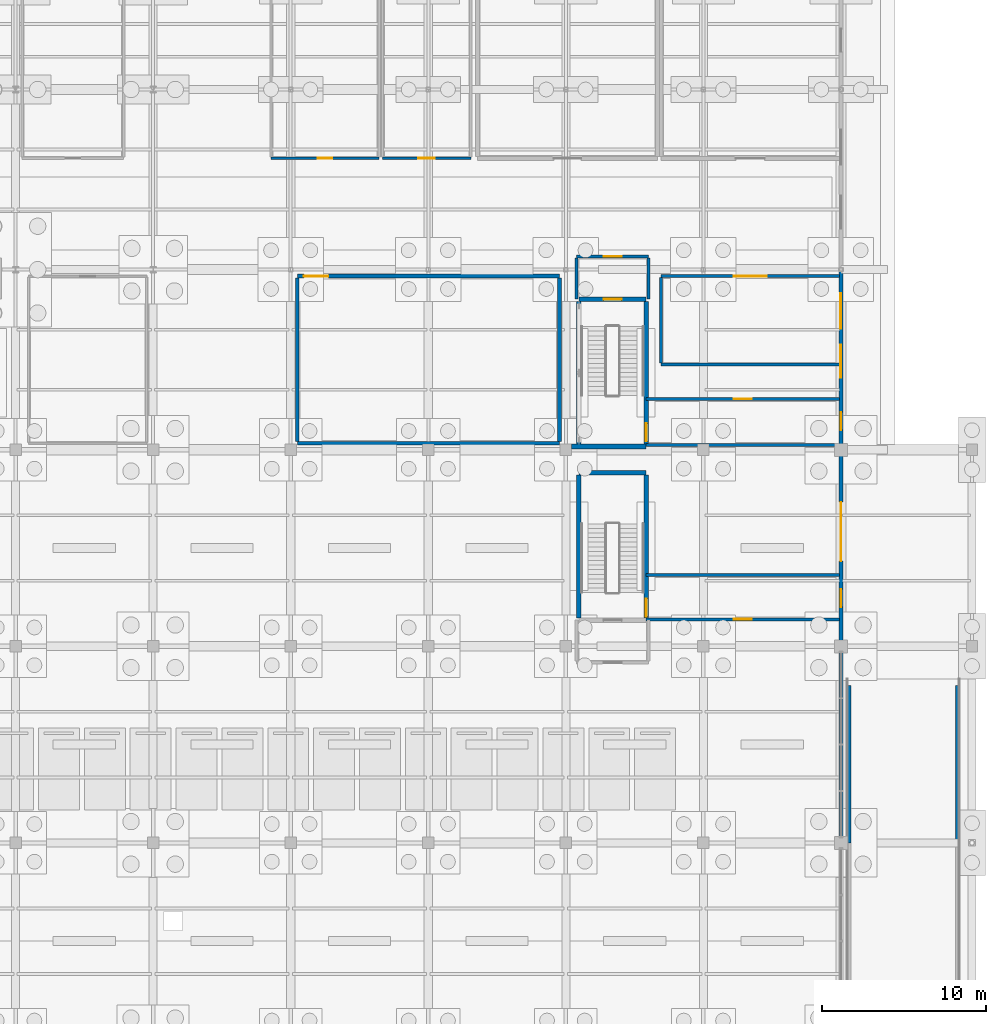
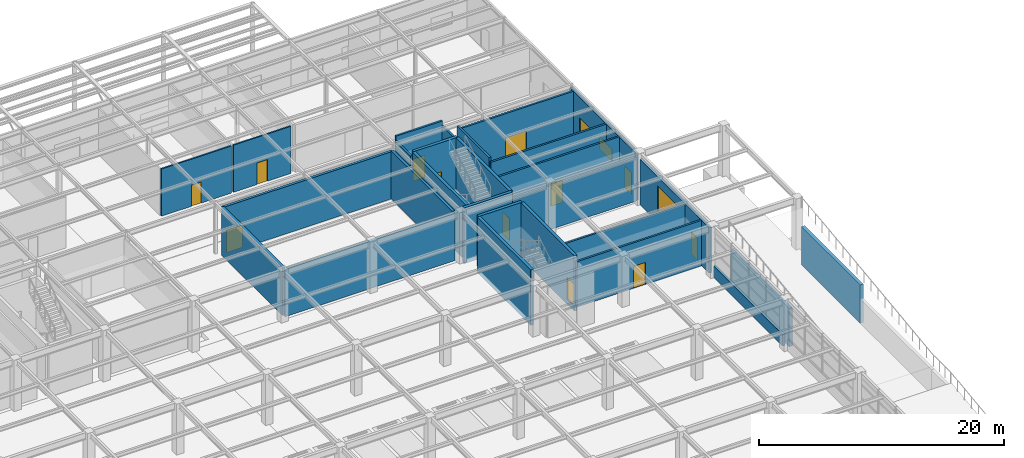
# One storey, part 109 of 129: 28 walls, 13 doors, 2 windows, 15 openings.
"""IFC4 building model written with IfcOpenShell, lengths in metres."""

from ifc_helpers import new_model, si_unit, direction, frame, frame_2d, origin, place, context, subcontext, project, spatial, rectangle, extrude, material, layer, layer_set, type_object, element, fill, save


model = new_model("IFC4")

# Units and contexts
model_context = context("Model", 3, precision=1e-05, world=origin(), true_north=direction((0.0, 1.0)))
body_context = subcontext(model_context, "Body", "Model", "MODEL_VIEW")
ifc_project = project(units=[si_unit("LENGTHUNIT", "METRE"), si_unit("AREAUNIT", "SQUARE_METRE"), si_unit("VOLUMEUNIT", "CUBIC_METRE"), si_unit("PLANEANGLEUNIT", "RADIAN"), si_unit("MASSUNIT", "GRAM", prefix="KILO")], contexts=[model_context])

# Site, building, storey
site_placement = place(None, origin())
site = spatial("IfcSite", under=ifc_project, at=site_placement, CompositionType="ELEMENT")
building_placement = place(site_placement, origin())
building = spatial("IfcBuilding", under=site, at=building_placement, Name="Sitalva Quay Ferry Terminal", CompositionType="ELEMENT")
storey_placement = place(building_placement, origin())
storey = spatial("IfcBuildingStorey", under=building, at=storey_placement, Name="L01", CompositionType="ELEMENT", Elevation=0.0)

# Walls
ifc_material_1 = material(Name="Concrete C40/50", Category="concrete")
ifc_layer_1 = layer(ifc_material_1, 0.280029296875)
ifc_layer_set_1 = layer_set([ifc_layer_1], Name="Concrete C40/50")
wall_type_1 = type_object("IfcWallType", Name="Wall_CoreShear_280", PredefinedType="SHEAR", material=ifc_layer_set_1)
wall_1_placement = place(storey_placement, frame((152.0, 76.60009765625, -0.449951171875), z_axis=(0.0, 0.0, 1.0), x_axis=(1.0, 0.0, 0.0)))
element("IfcWall", 1, at=wall_1_placement, inside=storey, type_object=wall_type_1, Name="Core C9 L01 north shear wall", PredefinedType="SHEAR", context=body_context, shape_type="SweptSolid", body=[
    extrude(rectangle(XDim=4.10009765625, YDim=0.280029296875, at=frame_2d((2.050048828125, 0.0))), origin(), (0.0, 0.0, 1.0), 5.530029296875),
])
wall_2_placement = place(storey_placement, frame((152.0, 67.739990234375, -0.449951171875), z_axis=(0.0, 0.0, 1.0), x_axis=(0.0, 1.0, 0.0)))
element("IfcWall", 2, at=wall_2_placement, inside=storey, type_object=wall_type_1, Name="Core C9 L01 west shear wall", PredefinedType="SHEAR", context=body_context, shape_type="SweptSolid", body=[
    extrude(rectangle(XDim=8.719970703125, YDim=0.280029296875, at=frame_2d((4.35986328125, 0.0))), origin(), (0.0, 0.0, 1.0), 5.530029296875),
])

# Wall, opening, door
wall_3_placement = place(storey_placement, frame((156.10009765625, 76.4599609375, -0.449951171875), z_axis=(0.0, 0.0, 1.0), x_axis=(0.0, -1.0, 0.0)))
wall_3 = element("IfcWall", 3, at=wall_3_placement, inside=storey, type_object=wall_type_1, Name="Core C9 L01 east shear wall", PredefinedType="SHEAR", context=body_context, shape_type="SweptSolid", body=[
    extrude(rectangle(XDim=8.719970703125, YDim=0.280029296875, at=frame_2d((4.35986328125, 0.0))), origin(), (0.0, 0.0, 1.0), 5.530029296875),
])
opening_1_placement = place(wall_3_placement, frame((7.550048828125, 0.0, 0.449951171875)))
opening_1 = element("IfcOpeningElement", 4, at=opening_1_placement, cuts=wall_3, Name="Opening D-L01-033", PredefinedType="OPENING", context=body_context, shape_type="SweptSolid", body=[
    extrude(rectangle(XDim=1.10009765625, YDim=2.199951171875, at=frame_2d((0.550048828125, 1.10009765625))), frame((0.0, 0.14990234375, 0.0), z_axis=(0.0, -1.0, 0.0), x_axis=(1.0, 0.0, 0.0)), (0.0, 0.0, 1.0), 0.300048828125),
])
ifc_material_2 = material(Name="Galvanised Steel Fire Door", Category="steel")
door_type_1 = type_object("IfcDoorType", Name="Door_CoreExit_1100x2200", OperationType="SINGLE_SWING_LEFT", PredefinedType="DOOR", material=ifc_material_2)
door_1_placement = place(opening_1_placement, origin())
door_1 = element("IfcDoor", 5, at=door_1_placement, inside=storey, type_object=door_type_1, Name="DOOR-D-L01-033 Protected stair ST-09 exit discharge door D-L01-033", OperationType="SINGLE_SWING_LEFT", OverallHeight=2.199951171875, OverallWidth=1.10009765625, PredefinedType="DOOR", context=body_context, shape_type="SweptSolid", body=[
    extrude(rectangle(XDim=1.10009765625, YDim=2.199951171875, at=frame_2d((0.550048828125, 1.10009765625))), frame((0.0, 0.02490234375, 0.0), z_axis=(0.0, -1.0, 0.0), x_axis=(1.0, 0.0, 0.0)), (0.0, 0.0, 1.0), 0.050048828125),
])
fill(opening_1, door_1)

# Wall
wall_4_placement = place(storey_placement, frame((151.550048828125, 78.199951171875, -0.449951171875), z_axis=(0.0, 0.0, 1.0), x_axis=(1.0, 0.0, 0.0)))
element("IfcWall", 6, at=wall_4_placement, inside=storey, type_object=wall_type_1, Name="Core C10 L01 south shear wall", PredefinedType="SHEAR", context=body_context, shape_type="SweptSolid", body=[
    extrude(rectangle(XDim=4.550048828125, YDim=0.280029296875, at=frame_2d((2.27490234375, 0.0))), origin(), (0.0, 0.0, 1.0), 5.570068359375),
])

# Wall, opening, door
wall_5_placement = place(storey_placement, frame((152.0, 87.199951171875, -0.449951171875), z_axis=(0.0, 0.0, 1.0), x_axis=(1.0, 0.0, 0.0)))
wall_5 = element("IfcWall", 7, at=wall_5_placement, inside=storey, type_object=wall_type_1, Name="Core C10 L01 north shear wall", PredefinedType="SHEAR", context=body_context, shape_type="SweptSolid", body=[
    extrude(rectangle(XDim=4.10009765625, YDim=0.280029296875, at=frame_2d((2.050048828125, 0.0))), origin(), (0.0, 0.0, 1.0), 5.570068359375),
])
opening_2_placement = place(wall_5_placement, frame((1.5, 0.0, 0.449951171875)))
opening_2 = element("IfcOpeningElement", 8, at=opening_2_placement, cuts=wall_5, Name="Opening D-L01-036", PredefinedType="OPENING", context=body_context, shape_type="SweptSolid", body=[
    extrude(rectangle(XDim=1.10009765625, YDim=2.199951171875, at=frame_2d((0.550048828125, 1.10009765625))), frame((0.0, 0.14990234375, 0.0), z_axis=(0.0, -1.0, 0.0), x_axis=(1.0, 0.0, 0.0)), (0.0, 0.0, 1.0), 0.300048828125),
])
door_2_placement = place(opening_2_placement, origin())
door_2 = element("IfcDoor", 9, at=door_2_placement, inside=storey, type_object=door_type_1, Name="DOOR-D-L01-036 Protected stair ST-10 door D-L01-036", OperationType="SINGLE_SWING_RIGHT", OverallHeight=2.199951171875, OverallWidth=1.10009765625, PredefinedType="DOOR", context=body_context, shape_type="SweptSolid", body=[
    extrude(rectangle(XDim=1.10009765625, YDim=2.199951171875, at=frame_2d((0.550048828125, 1.10009765625))), frame((0.0, 0.02490234375, 0.0), z_axis=(0.0, -1.0, 0.0), x_axis=(1.0, 0.0, 0.0)), (0.0, 0.0, 1.0), 0.050048828125),
])
fill(opening_2, door_2)

# Wall
wall_6_placement = place(storey_placement, frame((152.0, 78.340087890625, -0.449951171875), z_axis=(0.0, 0.0, 1.0), x_axis=(0.0, 1.0, 0.0)))
element("IfcWall", 10, at=wall_6_placement, inside=storey, type_object=wall_type_1, Name="Core C10 L01 west shear wall", PredefinedType="SHEAR", context=body_context, shape_type="SweptSolid", body=[
    extrude(rectangle(XDim=8.719970703125, YDim=0.280029296875, at=frame_2d((4.35986328125, 0.0))), origin(), (0.0, 0.0, 1.0), 5.570068359375),
])

# Wall, opening, door
wall_7_placement = place(storey_placement, frame((156.10009765625, 87.06005859375, -0.449951171875), z_axis=(0.0, 0.0, 1.0), x_axis=(0.0, -1.0, 0.0)))
wall_7 = element("IfcWall", 11, at=wall_7_placement, inside=storey, type_object=wall_type_1, Name="Core C10 L01 east shear wall", PredefinedType="SHEAR", context=body_context, shape_type="SweptSolid", body=[
    extrude(rectangle(XDim=8.719970703125, YDim=0.280029296875, at=frame_2d((4.35986328125, 0.0))), origin(), (0.0, 0.0, 1.0), 5.570068359375),
])
opening_3_placement = place(wall_7_placement, frame((7.449951171875, 0.0, 0.449951171875)))
opening_3 = element("IfcOpeningElement", 12, at=opening_3_placement, cuts=wall_7, Name="Opening D-L01-037", PredefinedType="OPENING", context=body_context, shape_type="SweptSolid", body=[
    extrude(rectangle(XDim=1.10009765625, YDim=2.199951171875, at=frame_2d((0.550048828125, 1.10009765625))), frame((0.0, 0.14990234375, 0.0), z_axis=(0.0, -1.0, 0.0), x_axis=(1.0, 0.0, 0.0)), (0.0, 0.0, 1.0), 0.300048828125),
])
door_3_placement = place(opening_3_placement, origin())
door_3 = element("IfcDoor", 13, at=door_3_placement, inside=storey, type_object=door_type_1, Name="DOOR-D-L01-037 Protected stair ST-10 exit discharge door D-L01-037", OperationType="SINGLE_SWING_LEFT", OverallHeight=2.199951171875, OverallWidth=1.10009765625, PredefinedType="DOOR", context=body_context, shape_type="SweptSolid", body=[
    extrude(rectangle(XDim=1.10009765625, YDim=2.199951171875, at=frame_2d((0.550048828125, 1.10009765625))), frame((0.0, 0.02490234375, 0.0), z_axis=(0.0, -1.0, 0.0), x_axis=(1.0, 0.0, 0.0)), (0.0, 0.0, 1.0), 0.050048828125),
])
fill(opening_3, door_3)

# Walls
ifc_material_3 = material(Name="Concrete C40/50", Category="concrete")
ifc_layer_2 = layer(ifc_material_3, 0.300048828125)
ifc_layer_set_2 = layer_set([ifc_layer_2], Name="Concrete C40/50")
wall_type_2 = type_object("IfcWallType", Name="Wall_CoreShear_300", PredefinedType="SHEAR", material=ifc_layer_set_2)
for number, where, z_axis, x_axis, name in (
    (14, (168.449951171875, 54.0, 0.0), (0.0, 0.0, 1.0), (0.0, 1.0, 0.0), "Vehicle ramp VR-01 upper support pier W"),
    (15, (175.14990234375, 54.0, 0.0), (0.0, 0.0, 1.0), (0.0, 1.0, 0.0), "Vehicle ramp VR-01 upper support pier E"),
):
    element("IfcWall", number, at=place(storey_placement, frame(where, z_axis=z_axis, x_axis=x_axis)), inside=storey, type_object=wall_type_2, Name=name, PredefinedType="SHEAR", context=body_context, shape_type="SweptSolid", body=[
        extrude(rectangle(XDim=9.60009765625, YDim=0.300048828125, at=frame_2d((4.800048828125, 0.0))), origin(), (0.0, 0.0, 1.0), 3.820068359375),
    ])

# Wall, openings, door, windows
ifc_material_4 = material(Name="Insulated Precast Concrete C40/50", Category="concrete")
ifc_layer_3 = layer(ifc_material_4, 0.239990234375)
ifc_layer_set_3 = layer_set([ifc_layer_3], Name="Insulated Precast Concrete C40/50")
wall_type_3 = type_object("IfcWallType", Name="Wall_ExtClad_240", PredefinedType="ELEMENTEDWALL", material=ifc_layer_set_3)
wall_8_placement = place(storey_placement, frame((168.0, 89.1220703125, 0.0), z_axis=(0.0, 0.0, 1.0), x_axis=(0.0, -1.0, 0.0)))
wall_8 = element("IfcWall", 16, at=wall_8_placement, inside=storey, type_object=wall_type_3, Name="L01 far-east plant wing wall EW-L01-157", PredefinedType="ELEMENTEDWALL", context=body_context, shape_type="SweptSolid", body=[
    extrude(rectangle(XDim=10.822021484375, YDim=0.239990234375, at=frame_2d((5.4111328125, 0.0))), origin(), (0.0, 0.0, 1.0), 4.700927734375),
])
opening_4_placement = place(wall_8_placement, frame((1.572021484375, 0.0, 1.39990234375)))
opening_4 = element("IfcOpeningElement", 17, at=opening_4_placement, cuts=wall_8, Name="Opening WN-L01-029", PredefinedType="OPENING", context=body_context, shape_type="SweptSolid", body=[
    extrude(rectangle(XDim=2.14990234375, YDim=1.25, at=frame_2d((1.074951171875, 0.625))), frame((0.0, 0.1298828125, 0.0), z_axis=(0.0, -1.0, 0.0), x_axis=(1.0, 0.0, 0.0)), (0.0, 0.0, 1.0), 0.260009765625),
])
opening_5_placement = place(wall_8_placement, frame((4.721923828125, 0.0, 1.39990234375)))
opening_5 = element("IfcOpeningElement", 18, at=opening_5_placement, cuts=wall_8, Name="Opening WN-L01-030", PredefinedType="OPENING", context=body_context, shape_type="SweptSolid", body=[
    extrude(rectangle(XDim=2.0, YDim=1.199951171875, at=frame_2d((1.0, 0.60009765625))), frame((0.0, 0.1298828125, 0.0), z_axis=(0.0, -1.0, 0.0), x_axis=(1.0, 0.0, 0.0)), (0.0, 0.0, 1.0), 0.260009765625),
])
opening_6_placement = place(wall_8_placement, frame((8.822021484375, 0.0, 0.0)))
opening_6 = element("IfcOpeningElement", 19, at=opening_6_placement, cuts=wall_8, Name="Opening ED-L01-036", PredefinedType="OPENING", context=body_context, shape_type="SweptSolid", body=[
    extrude(rectangle(XDim=1.10009765625, YDim=2.199951171875, at=frame_2d((0.550048828125, 1.10009765625))), frame((0.0, 0.1298828125, 0.0), z_axis=(0.0, -1.0, 0.0), x_axis=(1.0, 0.0, 0.0)), (0.0, 0.0, 1.0), 0.260009765625),
])
door_4_placement = place(opening_6_placement, origin())
door_4 = element("IfcDoor", 20, at=door_4_placement, inside=storey, type_object=door_type_1, Name="EDOOR-ED-L01-036 Exit stair ST-10 east walkway exit door ED-L01-036", OperationType="SINGLE_SWING_LEFT", OverallHeight=2.199951171875, OverallWidth=1.10009765625, PredefinedType="DOOR", context=body_context, shape_type="SweptSolid", body=[
    extrude(rectangle(XDim=1.10009765625, YDim=2.199951171875, at=frame_2d((0.550048828125, 1.10009765625))), frame((0.0, 0.02490234375, 0.0), z_axis=(0.0, -1.0, 0.0), x_axis=(1.0, 0.0, 0.0)), (0.0, 0.0, 1.0), 0.050048828125),
])
fill(opening_6, door_4)
ifc_material_5 = material(Name="Marine Aluminium Acoustic Louvre", Category="aluminium")
window_type_1 = type_object("IfcWindowType", Name="Win_LouvreB_2150x1250", PartitioningType="SINGLE_PANEL", PredefinedType="WINDOW", material=ifc_material_5)
window_1_placement = place(opening_4_placement, origin())
window_1 = element("IfcWindow", 21, at=window_1_placement, inside=storey, type_object=window_type_1, Name="East dock store louvre B WN-L01-029", OverallHeight=1.25, OverallWidth=2.14990234375, PartitioningType="SINGLE_PANEL", PredefinedType="WINDOW", context=body_context, shape_type="SweptSolid", body=[
    extrude(rectangle(XDim=2.14990234375, YDim=1.25, at=frame_2d((1.074951171875, 0.625))), frame((0.0, 0.030029296875, 0.0), z_axis=(0.0, -1.0, 0.0), x_axis=(1.0, 0.0, 0.0)), (0.0, 0.0, 1.0), 0.06005859375),
])
fill(opening_4, window_1)
ifc_material_6 = material(Name="Marine Aluminium Acoustic Louvre", Category="aluminium")
window_type_2 = type_object("IfcWindowType", Name="Win_LouvredVent_2000x1200", PartitioningType="SINGLE_PANEL", PredefinedType="WINDOW", material=ifc_material_6)
window_2_placement = place(opening_5_placement, origin())
window_2 = element("IfcWindow", 22, at=window_2_placement, inside=storey, type_object=window_type_2, Name="East dock store louvre WN-L01-030", OverallHeight=1.199951171875, OverallWidth=2.0, PartitioningType="SINGLE_PANEL", PredefinedType="WINDOW", context=body_context, shape_type="SweptSolid", body=[
    extrude(rectangle(XDim=2.0, YDim=1.199951171875, at=frame_2d((1.0, 0.60009765625))), frame((0.0, 0.030029296875, 0.0), z_axis=(0.0, -1.0, 0.0), x_axis=(1.0, 0.0, 0.0)), (0.0, 0.0, 1.0), 0.06005859375),
])
fill(opening_5, window_2)

# Wall, openings, doors
ifc_material_7 = material(Name="Concrete C40/50", Category="concrete")
ifc_layer_4 = layer(ifc_material_7, 0.260009765625)
ifc_layer_set_4 = layer_set([ifc_layer_4], Name="Concrete C40/50")
wall_type_4 = type_object("IfcWallType", Name="Wall_ExtSolid_260", PredefinedType="SOLIDWALL", material=ifc_layer_set_4)
wall_9_placement = place(storey_placement, frame((168.0, 77.64990234375, 0.0), z_axis=(0.0, 0.0, 1.0), x_axis=(0.0, -1.0, 0.0)))
wall_9 = element("IfcWall", 23, at=wall_9_placement, inside=storey, type_object=wall_type_4, Name="Ro-Ro freight portal wall EW-L01-134", PredefinedType="SOLIDWALL", context=body_context, shape_type="SweptSolid", body=[
    extrude(rectangle(XDim=11.2998046875, YDim=0.260009765625, at=frame_2d((5.64990234375, 0.0))), origin(), (0.0, 0.0, 1.0), 4.533935546875),
])
opening_7_placement = place(wall_9_placement, frame((2.85009765625, 0.0, 0.0)))
opening_7 = element("IfcOpeningElement", 24, at=opening_7_placement, cuts=wall_9, Name="Opening ED-L01-022", PredefinedType="OPENING", context=body_context, shape_type="SweptSolid", body=[
    extrude(rectangle(XDim=3.60009765625, YDim=3.60009765625, at=frame_2d((1.800048828125, 1.800048828125))), frame((0.0, 0.139892578125, 0.0), z_axis=(0.0, -1.0, 0.0), x_axis=(1.0, 0.0, 0.0)), (0.0, 0.0, 1.0), 0.280029296875),
])
opening_8_placement = place(wall_9_placement, frame((8.14990234375, 0.0, 0.0)))
opening_8 = element("IfcOpeningElement", 25, at=opening_8_placement, cuts=wall_9, Name="Opening ED-L01-023", PredefinedType="OPENING", context=body_context, shape_type="SweptSolid", body=[
    extrude(rectangle(XDim=1.10009765625, YDim=2.199951171875, at=frame_2d((0.550048828125, 1.10009765625))), frame((0.0, 0.139892578125, 0.0), z_axis=(0.0, -1.0, 0.0), x_axis=(1.0, 0.0, 0.0)), (0.0, 0.0, 1.0), 0.280029296875),
])
door_5_placement = place(opening_8_placement, origin())
door_5 = element("IfcDoor", 26, at=door_5_placement, inside=storey, type_object=door_type_1, Name="EDOOR-ED-L01-023 Exit stair ST-09 east apron exit door ED-L01-023", OperationType="SINGLE_SWING_LEFT", OverallHeight=2.199951171875, OverallWidth=1.10009765625, PredefinedType="DOOR", context=body_context, shape_type="SweptSolid", body=[
    extrude(rectangle(XDim=1.10009765625, YDim=2.199951171875, at=frame_2d((0.550048828125, 1.10009765625))), frame((0.0, 0.02490234375, 0.0), z_axis=(0.0, -1.0, 0.0), x_axis=(1.0, 0.0, 0.0)), (0.0, 0.0, 1.0), 0.050048828125),
])
fill(opening_8, door_5)
ifc_material_8 = material(Name="Galvanised Steel Roller Shutter", Category="steel")
door_type_2 = type_object("IfcDoorType", Name="Door_RollerFreight_3600x3800", OperationType="ROLLINGUP", PredefinedType="TRAPDOOR", material=ifc_material_8)
door_6_placement = place(opening_7_placement, origin())
door_6 = element("IfcDoor", 27, at=door_6_placement, inside=storey, type_object=door_type_2, Name="EDOOR-ED-L01-022 Ro-Ro freight marshalling shutter ED-L01-022", OperationType="ROLLINGUP", OverallHeight=3.60009765625, OverallWidth=3.60009765625, PredefinedType="TRAPDOOR", context=body_context, shape_type="SweptSolid", body=[
    extrude(rectangle(XDim=3.60009765625, YDim=3.60009765625, at=frame_2d((1.800048828125, 1.800048828125))), frame((0.0, 0.02490234375, 0.0), z_axis=(0.0, -1.0, 0.0), x_axis=(1.0, 0.0, 0.0)), (0.0, 0.0, 1.0), 0.050048828125),
])
fill(opening_7, door_6)

# Wall
ifc_material_9 = material(Name="Concrete C35/45", Category="concrete")
ifc_layer_5 = layer(ifc_material_9, 0.219970703125)
ifc_layer_set_5 = layer_set([ifc_layer_5], Name="Concrete C35/45")
wall_type_5 = type_object("IfcWallType", Name="Wall_ExtSpandrel_220", PredefinedType="SOLIDWALL", material=ifc_layer_set_5)
wall_10_placement = place(storey_placement, frame((168.0, 54.35009765625, 0.0), z_axis=(0.0, 0.0, 1.0), x_axis=(0.0, 1.0, 0.0)))
element("IfcWall", 28, at=wall_10_placement, inside=storey, type_object=wall_type_5, Name="Ro-Ro east vehicle barrier wall EW-L01-132", PredefinedType="SOLIDWALL", context=body_context, shape_type="SweptSolid", body=[
    extrude(rectangle(XDim=11.2998046875, YDim=0.219970703125, at=frame_2d((5.64990234375, 0.0))), origin(), (0.0, 0.0, 1.0), 1.14990234375),
])

# Wall, opening, door
ifc_material_10 = material(Name="Fire-Rated Blockwork C25/30", Category="masonry")
ifc_layer_6 = layer(ifc_material_10, 0.179931640625)
ifc_layer_set_6 = layer_set([ifc_layer_6], Name="Fire-Rated Blockwork C25/30")
wall_type_6 = type_object("IfcWallType", Name="Wall_FireLobby_180", PredefinedType="SOLIDWALL", material=ifc_layer_set_6)
wall_11_placement = place(storey_placement, frame((151.85009765625, 89.800048828125, 0.0), z_axis=(0.0, 0.0, 1.0), x_axis=(1.0, 0.0, 0.0)))
wall_11 = element("IfcWall", 29, at=wall_11_placement, inside=storey, type_object=wall_type_6, Name="Firefighting & Lift Lobby C10 N wall IW-L01-0091", PredefinedType="SOLIDWALL", context=body_context, shape_type="SweptSolid", body=[
    extrude(rectangle(XDim=4.39990234375, YDim=0.179931640625, at=frame_2d((2.199951171875, 0.0))), origin(), (0.0, 0.0, 1.0), 5.10009765625),
])
opening_9_placement = place(wall_11_placement, frame((1.64990234375, 0.0, 0.0)))
opening_9 = element("IfcOpeningElement", 30, at=opening_9_placement, cuts=wall_11, Name="Opening ID-L01-031", PredefinedType="OPENING", context=body_context, shape_type="SweptSolid", body=[
    extrude(rectangle(XDim=1.10009765625, YDim=2.199951171875, at=frame_2d((0.550048828125, 1.10009765625))), frame((0.0, 0.099853515625, 0.0), z_axis=(0.0, -1.0, 0.0), x_axis=(1.0, 0.0, 0.0)), (0.0, 0.0, 1.0), 0.199951171875),
])
ifc_material_11 = material(Name="Steel Fire Door", Category="steel")
door_type_3 = type_object("IfcDoorType", Name="Door_FireLobby_1100x2200", OperationType="SINGLE_SWING_LEFT", PredefinedType="DOOR", material=ifc_material_11)
door_7_placement = place(opening_9_placement, origin())
door_7 = element("IfcDoor", 31, at=door_7_placement, inside=storey, type_object=door_type_3, Name="IDOOR-ID-L01-031 Firefighting & Lift Lobby C10 entrance ID-L01-031", OperationType="SINGLE_SWING_LEFT", OverallHeight=2.199951171875, OverallWidth=1.10009765625, PredefinedType="DOOR", context=body_context, shape_type="SweptSolid", body=[
    extrude(rectangle(XDim=1.10009765625, YDim=2.199951171875, at=frame_2d((0.550048828125, 1.10009765625))), frame((0.0, 0.02490234375, 0.0), z_axis=(0.0, -1.0, 0.0), x_axis=(1.0, 0.0, 0.0)), (0.0, 0.0, 1.0), 0.050048828125),
])
fill(opening_9, door_7)

# Walls
for number, where, z_axis, x_axis, name in (
    (32, (151.85009765625, 87.199951171875, 0.0), (0.0, 0.0, 1.0), (0.0, 1.0, 0.0), "Firefighting & Lift Lobby C10 W wall IW-L01-0092"),
    (33, (156.25, 87.199951171875, 0.0), (0.0, 0.0, 1.0), (0.0, 1.0, 0.0), "Firefighting & Lift Lobby C10 E wall IW-L01-0093"),
):
    element("IfcWall", number, at=place(storey_placement, frame(where, z_axis=z_axis, x_axis=x_axis)), inside=storey, type_object=wall_type_6, Name=name, PredefinedType="SOLIDWALL", context=body_context, shape_type="SweptSolid", body=[
        extrude(rectangle(XDim=2.510009765625, YDim=0.179931640625, at=frame_2d((1.2548828125, 0.0))), origin(), (0.0, 0.0, 1.0), 4.659912109375),
    ])

# Wall, opening, door
wall_12_placement = place(storey_placement, frame((156.10009765625, 67.64990234375, 0.0), z_axis=(0.0, 0.0, 1.0), x_axis=(1.0, 0.0, 0.0)))
wall_12 = element("IfcWall", 34, at=wall_12_placement, inside=storey, type_object=wall_type_6, Name="Protected Exit Passage ST-09 S wall IW-L01-0123", PredefinedType="SOLIDWALL", context=body_context, shape_type="SweptSolid", body=[
    extrude(rectangle(XDim=11.81982421875, YDim=0.179931640625, at=frame_2d((5.909912109375, 0.0))), origin(), (0.0, 0.0, 1.0), 4.535888671875),
])
opening_10_placement = place(wall_12_placement, frame((5.360107421875, 0.0, 0.0)))
opening_10 = element("IfcOpeningElement", 35, at=opening_10_placement, cuts=wall_12, Name="Opening ID-L01-045", PredefinedType="OPENING", context=body_context, shape_type="SweptSolid", body=[
    extrude(rectangle(XDim=1.10009765625, YDim=2.199951171875, at=frame_2d((0.550048828125, 1.10009765625))), frame((0.0, 0.099853515625, 0.0), z_axis=(0.0, -1.0, 0.0), x_axis=(1.0, 0.0, 0.0)), (0.0, 0.0, 1.0), 0.199951171875),
])
door_8_placement = place(opening_10_placement, origin())
door_8 = element("IfcDoor", 36, at=door_8_placement, inside=storey, type_object=door_type_3, Name="IDOOR-ID-L01-045 Protected Exit Passage ST-09 entrance ID-L01-045", OperationType="SINGLE_SWING_LEFT", OverallHeight=2.199951171875, OverallWidth=1.10009765625, PredefinedType="DOOR", context=body_context, shape_type="SweptSolid", body=[
    extrude(rectangle(XDim=1.10009765625, YDim=2.199951171875, at=frame_2d((0.550048828125, 1.10009765625))), frame((0.0, 0.02490234375, 0.0), z_axis=(0.0, -1.0, 0.0), x_axis=(1.0, 0.0, 0.0)), (0.0, 0.0, 1.0), 0.050048828125),
])
fill(opening_10, door_8)

# Walls
wall_13_placement = place(storey_placement, frame((156.10009765625, 70.35009765625, 0.0), z_axis=(0.0, 0.0, 1.0), x_axis=(1.0, 0.0, 0.0)))
element("IfcWall", 37, at=wall_13_placement, inside=storey, type_object=wall_type_6, Name="Protected Exit Passage ST-09 N wall IW-L01-0124", PredefinedType="SOLIDWALL", context=body_context, shape_type="SweptSolid", body=[
    extrude(rectangle(XDim=11.81982421875, YDim=0.179931640625, at=frame_2d((5.909912109375, 0.0))), origin(), (0.0, 0.0, 1.0), 4.535888671875),
])
wall_14_placement = place(storey_placement, frame((156.10009765625, 78.300048828125, 0.0), z_axis=(0.0, 0.0, 1.0), x_axis=(1.0, 0.0, 0.0)))
element("IfcWall", 38, at=wall_14_placement, inside=storey, type_object=wall_type_6, Name="Protected Exit Passage ST-10 S wall IW-L01-0125", PredefinedType="SOLIDWALL", context=body_context, shape_type="SweptSolid", body=[
    extrude(rectangle(XDim=11.81982421875, YDim=0.179931640625, at=frame_2d((5.909912109375, 0.0))), origin(), (0.0, 0.0, 1.0), 4.386962890625),
])

# Wall, opening, door
wall_15_placement = place(storey_placement, frame((156.10009765625, 81.10009765625, 0.0), z_axis=(0.0, 0.0, 1.0), x_axis=(1.0, 0.0, 0.0)))
wall_15 = element("IfcWall", 39, at=wall_15_placement, inside=storey, type_object=wall_type_6, Name="Protected Exit Passage ST-10 N wall IW-L01-0126", PredefinedType="SOLIDWALL", context=body_context, shape_type="SweptSolid", body=[
    extrude(rectangle(XDim=11.81982421875, YDim=0.179931640625, at=frame_2d((5.909912109375, 0.0))), origin(), (0.0, 0.0, 1.0), 4.702880859375),
])
opening_11_placement = place(wall_15_placement, frame((5.360107421875, 0.0, 0.0)))
opening_11 = element("IfcOpeningElement", 40, at=opening_11_placement, cuts=wall_15, Name="Opening ID-L01-046", PredefinedType="OPENING", context=body_context, shape_type="SweptSolid", body=[
    extrude(rectangle(XDim=1.10009765625, YDim=2.199951171875, at=frame_2d((0.550048828125, 1.10009765625))), frame((0.0, 0.099853515625, 0.0), z_axis=(0.0, -1.0, 0.0), x_axis=(1.0, 0.0, 0.0)), (0.0, 0.0, 1.0), 0.199951171875),
])
door_9_placement = place(opening_11_placement, origin())
door_9 = element("IfcDoor", 41, at=door_9_placement, inside=storey, type_object=door_type_3, Name="IDOOR-ID-L01-046 Protected Exit Passage ST-10 entrance ID-L01-046", OperationType="SINGLE_SWING_RIGHT", OverallHeight=2.199951171875, OverallWidth=1.10009765625, PredefinedType="DOOR", context=body_context, shape_type="SweptSolid", body=[
    extrude(rectangle(XDim=1.10009765625, YDim=2.199951171875, at=frame_2d((0.550048828125, 1.10009765625))), frame((0.0, 0.02490234375, 0.0), z_axis=(0.0, -1.0, 0.0), x_axis=(1.0, 0.0, 0.0)), (0.0, 0.0, 1.0), 0.050048828125),
])
fill(opening_11, door_9)

# Wall
wall_16_placement = place(storey_placement, frame((157.0, 83.199951171875, 0.0), z_axis=(0.0, 0.0, 1.0), x_axis=(1.0, 0.0, 0.0)))
element("IfcWall", 42, at=wall_16_placement, inside=storey, type_object=wall_type_6, Name="Refuse Compactor & Dock Store S wall IW-L01-0194", PredefinedType="SOLIDWALL", context=body_context, shape_type="SweptSolid", body=[
    extrude(rectangle(XDim=10.919921875, YDim=0.179931640625, at=frame_2d((5.4599609375, 0.0))), origin(), (0.0, 0.0, 1.0), 4.702880859375),
])

# Wall, opening, door
wall_17_placement = place(storey_placement, frame((157.0, 88.60009765625, 0.0), z_axis=(0.0, 0.0, 1.0), x_axis=(1.0, 0.0, 0.0)))
wall_17 = element("IfcWall", 43, at=wall_17_placement, inside=storey, type_object=wall_type_6, Name="Refuse Compactor & Dock Store N wall IW-L01-0195", PredefinedType="SOLIDWALL", context=body_context, shape_type="SweptSolid", body=[
    extrude(rectangle(XDim=10.919921875, YDim=0.179931640625, at=frame_2d((5.4599609375, 0.0))), origin(), (0.0, 0.0, 1.0), 4.702880859375),
])
opening_12_placement = place(wall_17_placement, frame((4.4599609375, 0.0, 0.0)))
opening_12 = element("IfcOpeningElement", 44, at=opening_12_placement, cuts=wall_17, Name="Opening ID-L01-069", PredefinedType="OPENING", context=body_context, shape_type="SweptSolid", body=[
    extrude(rectangle(XDim=2.0, YDim=2.300048828125, at=frame_2d((1.0, 1.14990234375))), frame((0.0, 0.099853515625, 0.0), z_axis=(0.0, -1.0, 0.0), x_axis=(1.0, 0.0, 0.0)), (0.0, 0.0, 1.0), 0.199951171875),
])
ifc_material_12 = material(Name="Stainless Steel Bump-Rail Door", Category="steel")
door_type_4 = type_object("IfcDoorType", Name="Door_Baggage_2000x2300", OperationType="DOUBLE_DOOR_SINGLE_SWING", PredefinedType="DOOR", material=ifc_material_12)
door_10_placement = place(opening_12_placement, origin())
door_10 = element("IfcDoor", 45, at=door_10_placement, inside=storey, type_object=door_type_4, Name="IDOOR-ID-L01-069 Refuse Compactor & Dock Store entrance ID-L01-069", OperationType="DOUBLE_DOOR_SINGLE_SWING", OverallHeight=2.300048828125, OverallWidth=2.0, PredefinedType="DOOR", context=body_context, shape_type="SweptSolid", body=[
    extrude(rectangle(XDim=2.0, YDim=2.300048828125, at=frame_2d((1.0, 1.14990234375))), frame((0.0, 0.02490234375, 0.0), z_axis=(0.0, -1.0, 0.0), x_axis=(1.0, 0.0, 0.0)), (0.0, 0.0, 1.0), 0.050048828125),
])
fill(opening_12, door_10)

# Walls
wall_18_placement = place(storey_placement, frame((157.0, 83.2900390625, 0.0), z_axis=(0.0, 0.0, 1.0), x_axis=(0.0, 1.0, 0.0)))
element("IfcWall", 46, at=wall_18_placement, inside=storey, type_object=wall_type_6, Name="Refuse Compactor & Dock Store W wall IW-L01-0196", PredefinedType="SOLIDWALL", context=body_context, shape_type="SweptSolid", body=[
    extrude(rectangle(XDim=5.219970703125, YDim=0.179931640625, at=frame_2d((2.60986328125, 0.0))), origin(), (0.0, 0.0, 1.0), 5.10009765625),
])
ifc_material_13 = material(Name="High-Density Concrete C35/45", Category="concrete")
ifc_layer_7 = layer(ifc_material_13, 0.239990234375)
ifc_layer_set_7 = layer_set([ifc_layer_7], Name="High-Density Concrete C35/45")
wall_type_7 = type_object("IfcWallType", Name="Wall_PlantAcoustic_240", PredefinedType="SOLIDWALL", material=ifc_layer_set_7)
wall_19_placement = place(storey_placement, frame((134.800048828125, 78.39990234375, 0.0), z_axis=(0.0, 0.0, 1.0), x_axis=(1.0, 0.0, 0.0)))
element("IfcWall", 47, at=wall_19_placement, inside=storey, type_object=wall_type_7, Name="Standby Generator & Sprinkler Pump Hall S wall IW-L01-0190", PredefinedType="SOLIDWALL", context=body_context, shape_type="SweptSolid", body=[
    extrude(rectangle(XDim=16.0, YDim=0.239990234375, at=frame_2d((8.0, 0.0))), origin(), (0.0, 0.0, 1.0), 4.702880859375),
])

# Wall, opening, door
wall_20_placement = place(storey_placement, frame((134.800048828125, 88.60009765625, 0.0), z_axis=(0.0, 0.0, 1.0), x_axis=(1.0, 0.0, 0.0)))
wall_20 = element("IfcWall", 48, at=wall_20_placement, inside=storey, type_object=wall_type_7, Name="Standby Generator & Sprinkler Pump Hall N wall IW-L01-0191", PredefinedType="SOLIDWALL", context=body_context, shape_type="SweptSolid", body=[
    extrude(rectangle(XDim=16.0, YDim=0.239990234375, at=frame_2d((8.0, 0.0))), origin(), (0.0, 0.0, 1.0), 4.702880859375),
])
opening_13_placement = place(wall_20_placement, frame((0.39990234375, 0.0, 0.0)))
opening_13 = element("IfcOpeningElement", 49, at=opening_13_placement, cuts=wall_20, Name="Opening ID-L01-068", PredefinedType="OPENING", context=body_context, shape_type="SweptSolid", body=[
    extrude(rectangle(XDim=1.5, YDim=2.25, at=frame_2d((0.75, 1.125))), frame((0.0, 0.1298828125, 0.0), z_axis=(0.0, -1.0, 0.0), x_axis=(1.0, 0.0, 0.0)), (0.0, 0.0, 1.0), 0.260009765625),
])
ifc_material_14 = material(Name="Acoustic Steel Plant Door", Category="steel")
door_type_5 = type_object("IfcDoorType", Name="Door_PlantInt_1500x2250", OperationType="DOUBLE_DOOR_SINGLE_SWING", PredefinedType="DOOR", material=ifc_material_14)
door_11_placement = place(opening_13_placement, origin())
door_11 = element("IfcDoor", 50, at=door_11_placement, inside=storey, type_object=door_type_5, Name="IDOOR-ID-L01-068 Standby Generator & Sprinkler Pump Hall entrance ID-L01-068", OperationType="DOUBLE_DOOR_SINGLE_SWING", OverallHeight=2.25, OverallWidth=1.5, PredefinedType="DOOR", context=body_context, shape_type="SweptSolid", body=[
    extrude(rectangle(XDim=1.5, YDim=2.25, at=frame_2d((0.75, 1.125))), frame((0.0, 0.02490234375, 0.0), z_axis=(0.0, -1.0, 0.0), x_axis=(1.0, 0.0, 0.0)), (0.0, 0.0, 1.0), 0.050048828125),
])
fill(opening_13, door_11)

# Walls
for number, where, z_axis, x_axis, name in (
    (51, (134.800048828125, 78.52001953125, 0.0), (0.0, 0.0, 1.0), (0.0, 1.0, 0.0), "Standby Generator & Sprinkler Pump Hall W wall IW-L01-0192"),
    (52, (150.800048828125, 78.52001953125, 0.0), (0.0, 0.0, 1.0), (0.0, 1.0, 0.0), "Standby Generator & Sprinkler Pump Hall E wall IW-L01-0193"),
):
    element("IfcWall", number, at=place(storey_placement, frame(where, z_axis=z_axis, x_axis=x_axis)), inside=storey, type_object=wall_type_7, Name=name, PredefinedType="SOLIDWALL", context=body_context, shape_type="SweptSolid", body=[
        extrude(rectangle(XDim=9.9599609375, YDim=0.239990234375, at=frame_2d((4.97998046875, 0.0))), origin(), (0.0, 0.0, 1.0), 4.806884765625),
    ])

# Wall, opening, door
ifc_material_15 = material(Name="Moisture-Resistant Cement Board Partition", Category="gypsum")
ifc_layer_8 = layer(ifc_material_15, 0.139892578125)
ifc_layer_set_8 = layer_set([ifc_layer_8], Name="Moisture-Resistant Cement Board Partition")
wall_type_8 = type_object("IfcWallType", Name="Wall_WetRoom_140", PredefinedType="PARTITIONING", material=ifc_layer_set_8)
wall_21_placement = place(storey_placement, frame((133.199951171875, 95.800048828125, 0.0), z_axis=(0.0, 0.0, 1.0), x_axis=(1.0, 0.0, 0.0)))
wall_21 = element("IfcWall", 53, at=wall_21_placement, inside=storey, type_object=wall_type_8, Name="East Concourse Female Public Toilets S wall IW-L01-0179", PredefinedType="PARTITIONING", context=body_context, shape_type="SweptSolid", body=[
    extrude(rectangle(XDim=6.60009765625, YDim=0.139892578125, at=frame_2d((3.300048828125, 0.0))), origin(), (0.0, 0.0, 1.0), 4.702880859375),
])
opening_14_placement = place(wall_21_placement, frame((2.85009765625, 0.0, 0.0)))
opening_14 = element("IfcOpeningElement", 54, at=opening_14_placement, cuts=wall_21, Name="Opening ID-L01-064", PredefinedType="OPENING", context=body_context, shape_type="SweptSolid", body=[
    extrude(rectangle(XDim=0.89990234375, YDim=2.10009765625, at=frame_2d((0.449951171875, 1.050048828125))), frame((0.0, 0.079833984375, 0.0), z_axis=(0.0, -1.0, 0.0), x_axis=(1.0, 0.0, 0.0)), (0.0, 0.0, 1.0), 0.159912109375),
])
ifc_material_16 = material(Name="High-Pressure Laminate Door", Category="wood")
door_type_6 = type_object("IfcDoorType", Name="Door_WC_900x2100", OperationType="SINGLE_SWING_LEFT", PredefinedType="DOOR", material=ifc_material_16)
door_12_placement = place(opening_14_placement, origin())
door_12 = element("IfcDoor", 55, at=door_12_placement, inside=storey, type_object=door_type_6, Name="IDOOR-ID-L01-064 East Concourse Female Public Toilets entrance ID-L01-064", OperationType="SINGLE_SWING_RIGHT", OverallHeight=2.10009765625, OverallWidth=0.89990234375, PredefinedType="DOOR", context=body_context, shape_type="SweptSolid", body=[
    extrude(rectangle(XDim=0.89990234375, YDim=2.10009765625, at=frame_2d((0.449951171875, 1.050048828125))), frame((0.0, 0.02490234375, 0.0), z_axis=(0.0, -1.0, 0.0), x_axis=(1.0, 0.0, 0.0)), (0.0, 0.0, 1.0), 0.050048828125),
])
fill(opening_14, door_12)

wall_22_placement = place(storey_placement, frame((140.0, 95.800048828125, 0.0), z_axis=(0.0, 0.0, 1.0), x_axis=(1.0, 0.0, 0.0)))
wall_22 = element("IfcWall", 56, at=wall_22_placement, inside=storey, type_object=wall_type_8, Name="East Concourse Accessible WC S wall IW-L01-0182", PredefinedType="PARTITIONING", context=body_context, shape_type="SweptSolid", body=[
    extrude(rectangle(XDim=5.39990234375, YDim=0.139892578125, at=frame_2d((2.699951171875, 0.0))), origin(), (0.0, 0.0, 1.0), 4.702880859375),
])
opening_15_placement = place(wall_22_placement, frame((2.199951171875, 0.0, 0.0)))
opening_15 = element("IfcOpeningElement", 57, at=opening_15_placement, cuts=wall_22, Name="Opening ID-L01-065", PredefinedType="OPENING", context=body_context, shape_type="SweptSolid", body=[
    extrude(rectangle(XDim=1.0, YDim=2.14990234375, at=frame_2d((0.5, 1.074951171875))), frame((0.0, 0.079833984375, 0.0), z_axis=(0.0, -1.0, 0.0), x_axis=(1.0, 0.0, 0.0)), (0.0, 0.0, 1.0), 0.159912109375),
])
ifc_material_17 = material(Name="High-Pressure Laminate Accessible Door", Category="wood")
door_type_7 = type_object("IfcDoorType", Name="Door_AccWC_1000x2150", OperationType="SINGLE_SWING_RIGHT", PredefinedType="DOOR", material=ifc_material_17)
door_13_placement = place(opening_15_placement, origin())
door_13 = element("IfcDoor", 58, at=door_13_placement, inside=storey, type_object=door_type_7, Name="IDOOR-ID-L01-065 East Concourse Accessible WC entrance ID-L01-065", OperationType="SINGLE_SWING_LEFT", OverallHeight=2.14990234375, OverallWidth=1.0, PredefinedType="DOOR", context=body_context, shape_type="SweptSolid", body=[
    extrude(rectangle(XDim=1.0, YDim=2.14990234375, at=frame_2d((0.5, 1.074951171875))), frame((0.0, 0.02490234375, 0.0), z_axis=(0.0, -1.0, 0.0), x_axis=(1.0, 0.0, 0.0)), (0.0, 0.0, 1.0), 0.050048828125),
])
fill(opening_15, door_13)

save(model, "model.ifc")
